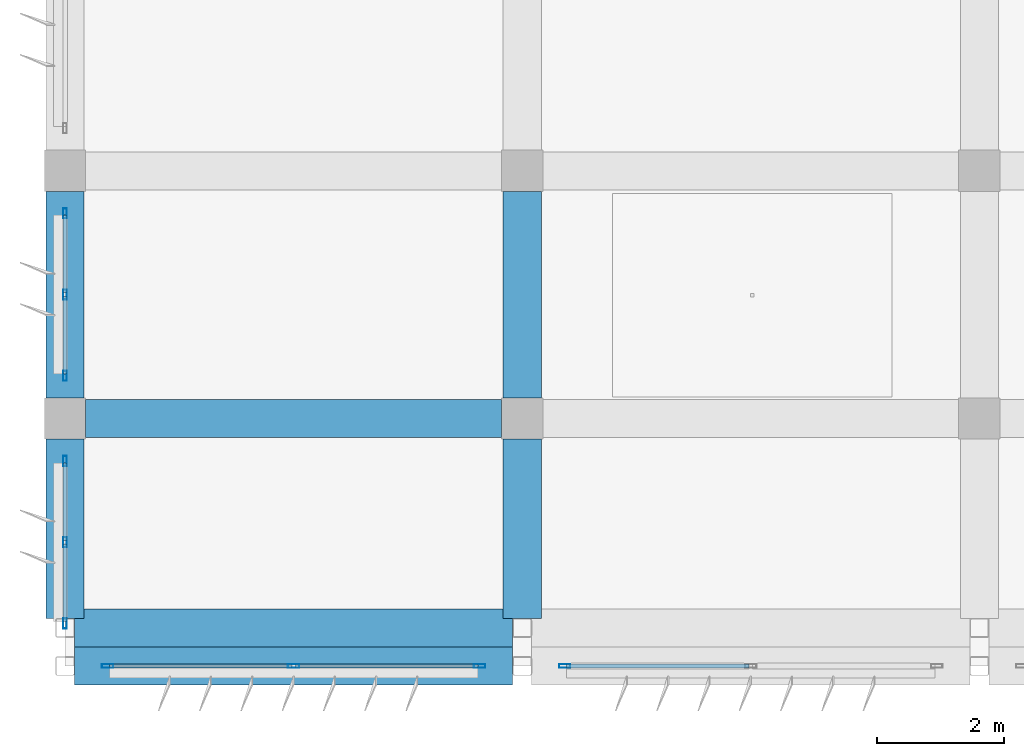
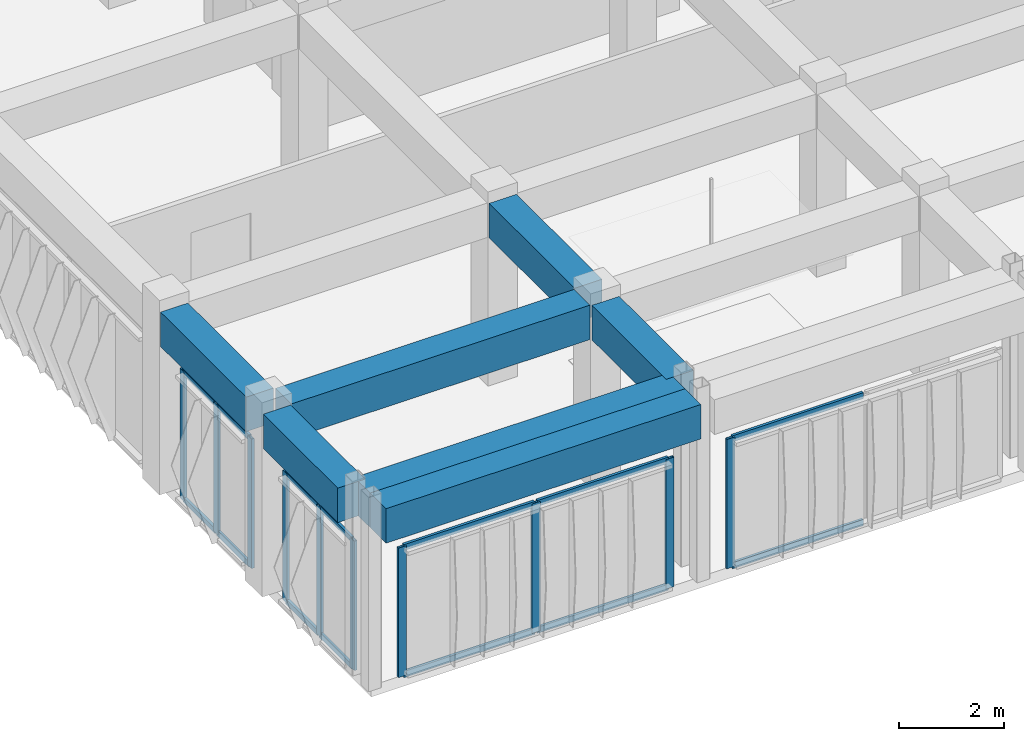
# One storey, part 4 of 56: 24 members, 7 beams, 4 elements without a shape of their own.
"""IFC4 building model written with IfcOpenShell, lengths in metres."""

from ifc_helpers import new_model, si_unit, direction, frame, origin, origin_2d, place, context, subcontext, project, spatial, rectangle, hollow_rectangle, extrude, material, material_profile, profile_set, type_object, element, aggregate, save


model = new_model("IFC4")

# Units and contexts
model_context = context("Model", 3, precision=1e-05, world=origin(), true_north=direction((0.0, 1.0)))
body_context = subcontext(model_context, "Body", "Model", "MODEL_VIEW")
ifc_project = project(units=[si_unit("LENGTHUNIT", "METRE"), si_unit("AREAUNIT", "SQUARE_METRE"), si_unit("VOLUMEUNIT", "CUBIC_METRE"), si_unit("PLANEANGLEUNIT", "RADIAN"), si_unit("MASSUNIT", "GRAM", prefix="KILO")], contexts=[model_context])

# Site, building, storey
site_placement = place(None, origin())
site = spatial("IfcSite", under=ifc_project, at=site_placement, CompositionType="ELEMENT")
building_placement = place(site_placement, origin())
building = spatial("IfcBuilding", under=site, at=building_placement, Name="Kazehaya Institute of Natural Sciences", CompositionType="ELEMENT")
storey_placement = place(building_placement, frame((0.0, 0.0, 28.800048828125)))
storey = spatial("IfcBuildingStorey", under=building, at=storey_placement, Name="L06", CompositionType="ELEMENT", Elevation=28.800048828125)

# Beams
ifc_material_1 = material(Name="Concrete Fc36", Category="concrete")
ifc_material_profile_1 = material_profile(ifc_material_1, rectangle(XDim=0.60009765625, YDim=0.800048828125, at=origin_2d()), Name="RC-600x800")
ifc_profile_set_1 = profile_set([ifc_material_profile_1], Name="Concrete Fc36")
beam_type = type_object("IfcBeamType", Name="BM-G-600x800", PredefinedType="BEAM", material=ifc_profile_set_1)
for number, where, z_axis, x_axis, name in (
    (1, (54.75, 6.199951171875, 3.829833984375), (1.0, 0.0, 0.0), (0.0, 1.0, 0.0), "L06 primary X girder BMX-L06-546-62"),
    (2, (54.75, 6.800048828125, 3.829833984375), (1.0, 0.0, 0.0), (0.0, 1.0, 0.0), "L06 primary X girder BMX-L06-546-68"),
):
    element("IfcBeam", number, at=place(storey_placement, frame(where, z_axis=z_axis, x_axis=x_axis)), inside=storey, type_object=beam_type, Name=name, PredefinedType="BEAM", context=body_context, shape_type="SweptSolid", body=[
        extrude(rectangle(XDim=0.60009765625, YDim=0.800048828125, at=origin_2d()), origin(), (0.0, 0.0, 1.0), 6.89990234375),
    ])
beam_1_placement = place(storey_placement, frame((54.925048828125, 10.10009765625, 3.829833984375), z_axis=(1.0, 0.0, 0.0), x_axis=(0.0, 1.0, 0.0)))
element("IfcBeam", 3, at=beam_1_placement, inside=storey, type_object=beam_type, Name="L06 primary X girder BMX-L06-546-101", PredefinedType="BEAM", context=body_context, shape_type="SweptSolid", body=[
    extrude(rectangle(XDim=0.60009765625, YDim=0.800048828125, at=origin_2d()), origin(), (0.0, 0.0, 1.0), 6.550048828125),
])
beam_2_placement = place(storey_placement, frame((54.60009765625, 6.949951171875, 3.829833984375), z_axis=(0.0, 1.0, 0.0), x_axis=(-1.0, 0.0, 0.0)))
element("IfcBeam", 4, at=beam_2_placement, inside=storey, type_object=beam_type, Name="L06 primary Y girder BMY-L06-546-68", PredefinedType="BEAM", context=body_context, shape_type="SweptSolid", body=[
    extrude(rectangle(XDim=0.60009765625, YDim=0.800048828125, at=origin_2d()), origin(), (0.0, 0.0, 1.0), 2.824951171875),
])
beam_3_placement = place(storey_placement, frame((54.60009765625, 10.425048828125, 3.829833984375), z_axis=(0.0, 1.0, 0.0), x_axis=(-1.0, 0.0, 0.0)))
element("IfcBeam", 5, at=beam_3_placement, inside=storey, type_object=beam_type, Name="L06 primary Y girder BMY-L06-546-101", PredefinedType="BEAM", context=body_context, shape_type="SweptSolid", body=[
    extrude(rectangle(XDim=0.60009765625, YDim=0.800048828125, at=origin_2d()), origin(), (0.0, 0.0, 1.0), 3.25),
])
beam_4_placement = place(storey_placement, frame((61.800048828125, 6.949951171875, 3.829833984375), z_axis=(0.0, 1.0, 0.0), x_axis=(-1.0, 0.0, 0.0)))
element("IfcBeam", 6, at=beam_4_placement, inside=storey, type_object=beam_type, Name="L06 primary Y girder BMY-L06-618-68", PredefinedType="BEAM", context=body_context, shape_type="SweptSolid", body=[
    extrude(rectangle(XDim=0.60009765625, YDim=0.800048828125, at=origin_2d()), origin(), (0.0, 0.0, 1.0), 2.824951171875),
])
beam_5_placement = place(storey_placement, frame((61.800048828125, 10.425048828125, 3.829833984375), z_axis=(0.0, 1.0, 0.0), x_axis=(-1.0, 0.0, 0.0)))
element("IfcBeam", 7, at=beam_5_placement, inside=storey, type_object=beam_type, Name="L06 primary Y girder BMY-L06-618-101", PredefinedType="BEAM", context=body_context, shape_type="SweptSolid", body=[
    extrude(rectangle(XDim=0.60009765625, YDim=0.800048828125, at=origin_2d()), origin(), (0.0, 0.0, 1.0), 3.25),
])

# Curtain wall, members
ifc_material_2 = material(Name="Aluminium alloy A6063S-T5", Category="aluminium")
curtain_wall_type_1 = type_object("IfcCurtainWallType", Name="CW-SYS-08", PredefinedType="NOTDEFINED", material=ifc_material_2)
curtain_wall_1_placement = place(storey_placement, origin())
curtain_wall_1 = element("IfcCurtainWall", 8, at=curtain_wall_1_placement, inside=storey, type_object=curtain_wall_type_1, Name="L06 unitised curtain wall CW-L06-138", PredefinedType="NOTDEFINED")
ifc_material_profile_2 = material_profile(ifc_material_2, hollow_rectangle(XDim=0.06005859375, YDim=0.159912109375, WallThickness=0.00390625, at=origin_2d()), Name="ALU-60x160x4")
ifc_profile_set_2 = profile_set([ifc_material_profile_2], Name="Aluminium alloy A6063S-T5")
member_type_1 = type_object("IfcMemberType", Name="CWM-160", PredefinedType="MULLION", material=ifc_profile_set_2)
member_1_placement = place(storey_placement, frame((54.60009765625, 6.8701171875, 0.0), z_axis=(0.0, 0.0, 1.0), x_axis=(-1.0, 0.0, 0.0)))
member_1 = element("IfcMember", 9, at=member_1_placement, type_object=member_type_1, Name="CW08 mullion 1", PredefinedType="MULLION", context=body_context, shape_type="SweptSolid", body=[
    extrude(hollow_rectangle(XDim=0.06005859375, YDim=0.159912109375, WallThickness=0.00390625, at=origin_2d()), origin(), (0.0, 0.0, 1.0), 3.0),
])
member_2_placement = place(storey_placement, frame((54.60009765625, 8.14990234375, 0.0), z_axis=(0.0, 0.0, 1.0), x_axis=(-1.0, 0.0, 0.0)))
member_2 = element("IfcMember", 10, at=member_2_placement, type_object=member_type_1, Name="CW08 mullion 2", PredefinedType="MULLION", context=body_context, shape_type="SweptSolid", body=[
    extrude(hollow_rectangle(XDim=0.06005859375, YDim=0.159912109375, WallThickness=0.00390625, at=origin_2d()), origin(), (0.0, 0.0, 1.0), 3.0),
])
member_3_placement = place(storey_placement, frame((54.60009765625, 9.429931640625, 0.0), z_axis=(0.0, 0.0, 1.0), x_axis=(-1.0, 0.0, 0.0)))
member_3 = element("IfcMember", 11, at=member_3_placement, type_object=member_type_1, Name="CW08 mullion 3", PredefinedType="MULLION", context=body_context, shape_type="SweptSolid", body=[
    extrude(hollow_rectangle(XDim=0.06005859375, YDim=0.159912109375, WallThickness=0.00390625, at=origin_2d()), origin(), (0.0, 0.0, 1.0), 3.0),
])

curtain_wall_2_placement = place(storey_placement, origin())
curtain_wall_2 = element("IfcCurtainWall", 12, at=curtain_wall_2_placement, inside=storey, type_object=curtain_wall_type_1, Name="L06 unitised curtain wall CW-L06-140", PredefinedType="NOTDEFINED")
member_4_placement = place(storey_placement, frame((54.60009765625, 10.77001953125, 0.0), z_axis=(0.0, 0.0, 1.0), x_axis=(-1.0, 0.0, 0.0)))
member_4 = element("IfcMember", 13, at=member_4_placement, type_object=member_type_1, Name="CW08 mullion 1", PredefinedType="MULLION", context=body_context, shape_type="SweptSolid", body=[
    extrude(hollow_rectangle(XDim=0.06005859375, YDim=0.159912109375, WallThickness=0.00390625, at=origin_2d()), origin(), (0.0, 0.0, 1.0), 3.0),
])
member_5_placement = place(storey_placement, frame((54.60009765625, 12.050048828125, 0.0), z_axis=(0.0, 0.0, 1.0), x_axis=(-1.0, 0.0, 0.0)))
member_5 = element("IfcMember", 14, at=member_5_placement, type_object=member_type_1, Name="CW08 mullion 2", PredefinedType="MULLION", context=body_context, shape_type="SweptSolid", body=[
    extrude(hollow_rectangle(XDim=0.06005859375, YDim=0.159912109375, WallThickness=0.00390625, at=origin_2d()), origin(), (0.0, 0.0, 1.0), 3.0),
])
member_6_placement = place(storey_placement, frame((54.60009765625, 13.330078125, 0.0), z_axis=(0.0, 0.0, 1.0), x_axis=(-1.0, 0.0, 0.0)))
member_6 = element("IfcMember", 15, at=member_6_placement, type_object=member_type_1, Name="CW08 mullion 3", PredefinedType="MULLION", context=body_context, shape_type="SweptSolid", body=[
    extrude(hollow_rectangle(XDim=0.06005859375, YDim=0.159912109375, WallThickness=0.00390625, at=origin_2d()), origin(), (0.0, 0.0, 1.0), 3.0),
])

# Curtain wall, member
curtain_wall_type_2 = type_object("IfcCurtainWallType", Name="CW-SYS-04", PredefinedType="NOTDEFINED", material=ifc_material_2)
curtain_wall_3_placement = place(storey_placement, origin())
curtain_wall_3 = element("IfcCurtainWall", 16, at=curtain_wall_3_placement, inside=storey, type_object=curtain_wall_type_2, Name="L06 unitised curtain wall CW-L06-127", PredefinedType="NOTDEFINED")
ifc_material_profile_3 = material_profile(ifc_material_2, hollow_rectangle(XDim=0.06005859375, YDim=0.179931640625, WallThickness=0.00390625, at=origin_2d()), Name="ALU-60x180x4")
ifc_profile_set_3 = profile_set([ifc_material_profile_3], Name="Aluminium alloy A6063S-T5")
member_type_2 = type_object("IfcMemberType", Name="CWM-180", PredefinedType="MULLION", material=ifc_profile_set_3)
member_7_placement = place(storey_placement, frame((62.469970703125, 6.199951171875, 0.0), z_axis=(0.0, 0.0, 1.0), x_axis=(0.0, -1.0, 0.0)))
member_7 = element("IfcMember", 17, at=member_7_placement, type_object=member_type_2, Name="CW04 mullion 3", PredefinedType="MULLION", context=body_context, shape_type="SweptSolid", body=[
    extrude(hollow_rectangle(XDim=0.06005859375, YDim=0.179931640625, WallThickness=0.00390625, at=origin_2d()), origin(), (0.0, 0.0, 1.0), 3.0),
])

# Curtain wall, members
curtain_wall_4_placement = place(storey_placement, origin())
curtain_wall_4 = element("IfcCurtainWall", 18, at=curtain_wall_4_placement, inside=storey, type_object=curtain_wall_type_2, Name="L06 unitised curtain wall CW-L06-128", PredefinedType="NOTDEFINED")
member_8_placement = place(storey_placement, frame((61.1298828125, 6.199951171875, 0.0), z_axis=(0.0, 0.0, 1.0), x_axis=(0.0, -1.0, 0.0)))
member_8 = element("IfcMember", 19, at=member_8_placement, type_object=member_type_2, Name="CW04 mullion 1", PredefinedType="MULLION", context=body_context, shape_type="SweptSolid", body=[
    extrude(hollow_rectangle(XDim=0.06005859375, YDim=0.179931640625, WallThickness=0.00390625, at=origin_2d()), origin(), (0.0, 0.0, 1.0), 3.0),
])
member_9_placement = place(storey_placement, frame((58.199951171875, 6.199951171875, 0.0), z_axis=(0.0, 0.0, 1.0), x_axis=(0.0, -1.0, 0.0)))
member_9 = element("IfcMember", 20, at=member_9_placement, type_object=member_type_2, Name="CW04 mullion 2", PredefinedType="MULLION", context=body_context, shape_type="SweptSolid", body=[
    extrude(hollow_rectangle(XDim=0.06005859375, YDim=0.179931640625, WallThickness=0.00390625, at=origin_2d()), origin(), (0.0, 0.0, 1.0), 3.0),
])
member_10_placement = place(storey_placement, frame((55.27001953125, 6.199951171875, 0.0), z_axis=(0.0, 0.0, 1.0), x_axis=(0.0, -1.0, 0.0)))
member_10 = element("IfcMember", 21, at=member_10_placement, type_object=member_type_2, Name="CW04 mullion 3", PredefinedType="MULLION", context=body_context, shape_type="SweptSolid", body=[
    extrude(hollow_rectangle(XDim=0.06005859375, YDim=0.179931640625, WallThickness=0.00390625, at=origin_2d()), origin(), (0.0, 0.0, 1.0), 3.0),
])

# Member
ifc_material_profile_4 = material_profile(ifc_material_2, hollow_rectangle(XDim=0.06005859375, YDim=0.1201171875, WallThickness=0.00341796875, at=origin_2d()), Name="ALU-60x120x3.5")
ifc_profile_set_4 = profile_set([ifc_material_profile_4], Name="Aluminium alloy A6063S-T5")
member_type_3 = type_object("IfcMemberType", Name="CWT-120", PredefinedType="USERDEFINED", material=ifc_profile_set_4)
member_11_placement = place(storey_placement, frame((54.60009765625, 6.89990234375, 0.030029296875), z_axis=(0.0, 1.0, 0.0), x_axis=(-1.0, 0.0, 0.0)))
member_11 = element("IfcMember", 22, at=member_11_placement, type_object=member_type_3, Name="CW08 transom 1.1", ObjectType="TRANSOM", PredefinedType="USERDEFINED", context=body_context, shape_type="SweptSolid", body=[
    extrude(hollow_rectangle(XDim=0.06005859375, YDim=0.1201171875, WallThickness=0.00341796875, at=origin_2d()), origin(), (0.0, 0.0, 1.0), 1.22021484375),
])

member_12_placement = place(storey_placement, frame((54.60009765625, 6.89990234375, 2.969970703125), z_axis=(0.0, 1.0, 0.0), x_axis=(-1.0, 0.0, 0.0)))
member_12 = element("IfcMember", 23, at=member_12_placement, type_object=member_type_3, Name="CW08 transom 1.2", ObjectType="TRANSOM", PredefinedType="USERDEFINED", context=body_context, shape_type="SweptSolid", body=[
    extrude(hollow_rectangle(XDim=0.06005859375, YDim=0.1201171875, WallThickness=0.00341796875, at=origin_2d()), origin(), (0.0, 0.0, 1.0), 1.22021484375),
])

member_13_placement = place(storey_placement, frame((54.60009765625, 8.179931640625, 0.030029296875), z_axis=(0.0, 1.0, 0.0), x_axis=(-1.0, 0.0, 0.0)))
member_13 = element("IfcMember", 24, at=member_13_placement, type_object=member_type_3, Name="CW08 transom 2.1", ObjectType="TRANSOM", PredefinedType="USERDEFINED", context=body_context, shape_type="SweptSolid", body=[
    extrude(hollow_rectangle(XDim=0.06005859375, YDim=0.1201171875, WallThickness=0.00341796875, at=origin_2d()), origin(), (0.0, 0.0, 1.0), 1.219970703125),
])

member_14_placement = place(storey_placement, frame((54.60009765625, 8.179931640625, 2.969970703125), z_axis=(0.0, 1.0, 0.0), x_axis=(-1.0, 0.0, 0.0)))
member_14 = element("IfcMember", 25, at=member_14_placement, type_object=member_type_3, Name="CW08 transom 2.2", ObjectType="TRANSOM", PredefinedType="USERDEFINED", context=body_context, shape_type="SweptSolid", body=[
    extrude(hollow_rectangle(XDim=0.06005859375, YDim=0.1201171875, WallThickness=0.00341796875, at=origin_2d()), origin(), (0.0, 0.0, 1.0), 1.219970703125),
])

aggregate(curtain_wall_1, [member_1, member_2, member_3, member_11, member_12, member_13, member_14])

member_15_placement = place(storey_placement, frame((54.60009765625, 10.800048828125, 0.030029296875), z_axis=(0.0, 1.0, 0.0), x_axis=(-1.0, 0.0, 0.0)))
member_15 = element("IfcMember", 26, at=member_15_placement, type_object=member_type_3, Name="CW08 transom 1.1", ObjectType="TRANSOM", PredefinedType="USERDEFINED", context=body_context, shape_type="SweptSolid", body=[
    extrude(hollow_rectangle(XDim=0.06005859375, YDim=0.1201171875, WallThickness=0.00341796875, at=origin_2d()), origin(), (0.0, 0.0, 1.0), 1.219970703125),
])

member_16_placement = place(storey_placement, frame((54.60009765625, 10.800048828125, 2.969970703125), z_axis=(0.0, 1.0, 0.0), x_axis=(-1.0, 0.0, 0.0)))
member_16 = element("IfcMember", 27, at=member_16_placement, type_object=member_type_3, Name="CW08 transom 1.2", ObjectType="TRANSOM", PredefinedType="USERDEFINED", context=body_context, shape_type="SweptSolid", body=[
    extrude(hollow_rectangle(XDim=0.06005859375, YDim=0.1201171875, WallThickness=0.00341796875, at=origin_2d()), origin(), (0.0, 0.0, 1.0), 1.219970703125),
])

member_17_placement = place(storey_placement, frame((54.60009765625, 12.080078125, 0.030029296875), z_axis=(0.0, 1.0, 0.0), x_axis=(-1.0, 0.0, 0.0)))
member_17 = element("IfcMember", 28, at=member_17_placement, type_object=member_type_3, Name="CW08 transom 2.1", ObjectType="TRANSOM", PredefinedType="USERDEFINED", context=body_context, shape_type="SweptSolid", body=[
    extrude(hollow_rectangle(XDim=0.06005859375, YDim=0.1201171875, WallThickness=0.00341796875, at=origin_2d()), origin(), (0.0, 0.0, 1.0), 1.219970703125),
])

member_18_placement = place(storey_placement, frame((54.60009765625, 12.080078125, 2.969970703125), z_axis=(0.0, 1.0, 0.0), x_axis=(-1.0, 0.0, 0.0)))
member_18 = element("IfcMember", 29, at=member_18_placement, type_object=member_type_3, Name="CW08 transom 2.2", ObjectType="TRANSOM", PredefinedType="USERDEFINED", context=body_context, shape_type="SweptSolid", body=[
    extrude(hollow_rectangle(XDim=0.06005859375, YDim=0.1201171875, WallThickness=0.00341796875, at=origin_2d()), origin(), (0.0, 0.0, 1.0), 1.219970703125),
])

aggregate(curtain_wall_2, [member_4, member_5, member_6, member_15, member_16, member_17, member_18])

ifc_material_profile_5 = material_profile(ifc_material_2, hollow_rectangle(XDim=0.06005859375, YDim=0.139892578125, WallThickness=0.00341796875, at=origin_2d()), Name="ALU-60x140x3.5")
ifc_profile_set_5 = profile_set([ifc_material_profile_5], Name="Aluminium alloy A6063S-T5")
member_type_4 = type_object("IfcMemberType", Name="CWT-140", PredefinedType="USERDEFINED", material=ifc_profile_set_5)
member_19_placement = place(storey_placement, frame((65.3701171875, 6.199951171875, 0.030029296875), z_axis=(-1.0, 0.0, 0.0), x_axis=(0.0, -1.0, 0.0)))
member_19 = element("IfcMember", 30, at=member_19_placement, type_object=member_type_4, Name="CW04 transom 2.1", ObjectType="TRANSOM", PredefinedType="USERDEFINED", context=body_context, shape_type="SweptSolid", body=[
    extrude(hollow_rectangle(XDim=0.06005859375, YDim=0.139892578125, WallThickness=0.00341796875, at=origin_2d()), origin(), (0.0, 0.0, 1.0), 2.8701171875),
])

member_20_placement = place(storey_placement, frame((65.3701171875, 6.199951171875, 2.969970703125), z_axis=(-1.0, 0.0, 0.0), x_axis=(0.0, -1.0, 0.0)))
member_20 = element("IfcMember", 31, at=member_20_placement, type_object=member_type_4, Name="CW04 transom 2.2", ObjectType="TRANSOM", PredefinedType="USERDEFINED", context=body_context, shape_type="SweptSolid", body=[
    extrude(hollow_rectangle(XDim=0.06005859375, YDim=0.139892578125, WallThickness=0.00341796875, at=origin_2d()), origin(), (0.0, 0.0, 1.0), 2.8701171875),
])

aggregate(curtain_wall_3, [member_7, member_19, member_20])

member_21_placement = place(storey_placement, frame((61.10009765625, 6.199951171875, 0.030029296875), z_axis=(-1.0, 0.0, 0.0), x_axis=(0.0, -1.0, 0.0)))
member_21 = element("IfcMember", 32, at=member_21_placement, type_object=member_type_4, Name="CW04 transom 1.1", ObjectType="TRANSOM", PredefinedType="USERDEFINED", context=body_context, shape_type="SweptSolid", body=[
    extrude(hollow_rectangle(XDim=0.06005859375, YDim=0.139892578125, WallThickness=0.00341796875, at=origin_2d()), origin(), (0.0, 0.0, 1.0), 2.8701171875),
])

member_22_placement = place(storey_placement, frame((61.10009765625, 6.199951171875, 2.969970703125), z_axis=(-1.0, 0.0, 0.0), x_axis=(0.0, -1.0, 0.0)))
member_22 = element("IfcMember", 33, at=member_22_placement, type_object=member_type_4, Name="CW04 transom 1.2", ObjectType="TRANSOM", PredefinedType="USERDEFINED", context=body_context, shape_type="SweptSolid", body=[
    extrude(hollow_rectangle(XDim=0.06005859375, YDim=0.139892578125, WallThickness=0.00341796875, at=origin_2d()), origin(), (0.0, 0.0, 1.0), 2.8701171875),
])

member_23_placement = place(storey_placement, frame((58.169921875, 6.199951171875, 0.030029296875), z_axis=(-1.0, 0.0, 0.0), x_axis=(0.0, -1.0, 0.0)))
member_23 = element("IfcMember", 34, at=member_23_placement, type_object=member_type_4, Name="CW04 transom 2.1", ObjectType="TRANSOM", PredefinedType="USERDEFINED", context=body_context, shape_type="SweptSolid", body=[
    extrude(hollow_rectangle(XDim=0.06005859375, YDim=0.139892578125, WallThickness=0.00341796875, at=origin_2d()), origin(), (0.0, 0.0, 1.0), 2.869873046875),
])

member_24_placement = place(storey_placement, frame((58.169921875, 6.199951171875, 2.969970703125), z_axis=(-1.0, 0.0, 0.0), x_axis=(0.0, -1.0, 0.0)))
member_24 = element("IfcMember", 35, at=member_24_placement, type_object=member_type_4, Name="CW04 transom 2.2", ObjectType="TRANSOM", PredefinedType="USERDEFINED", context=body_context, shape_type="SweptSolid", body=[
    extrude(hollow_rectangle(XDim=0.06005859375, YDim=0.139892578125, WallThickness=0.00341796875, at=origin_2d()), origin(), (0.0, 0.0, 1.0), 2.869873046875),
])

aggregate(curtain_wall_4, [member_8, member_9, member_10, member_21, member_22, member_23, member_24])

save(model, "model.ifc")
